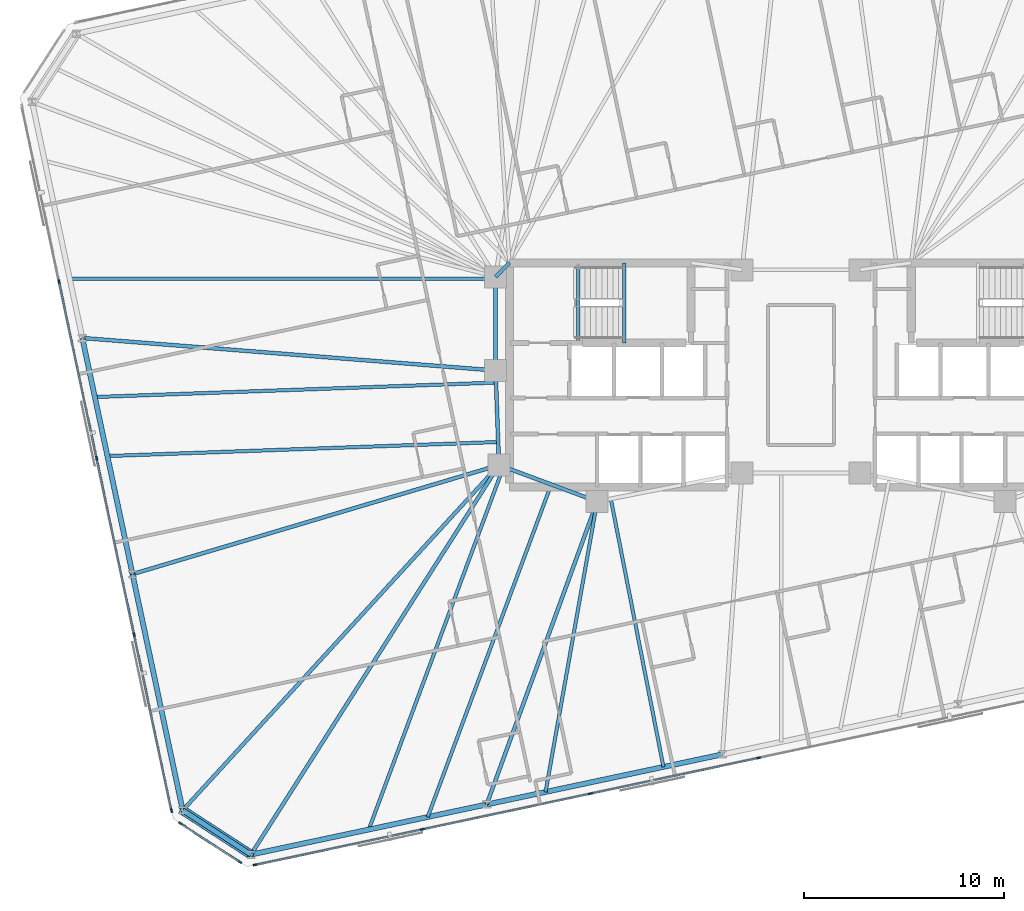
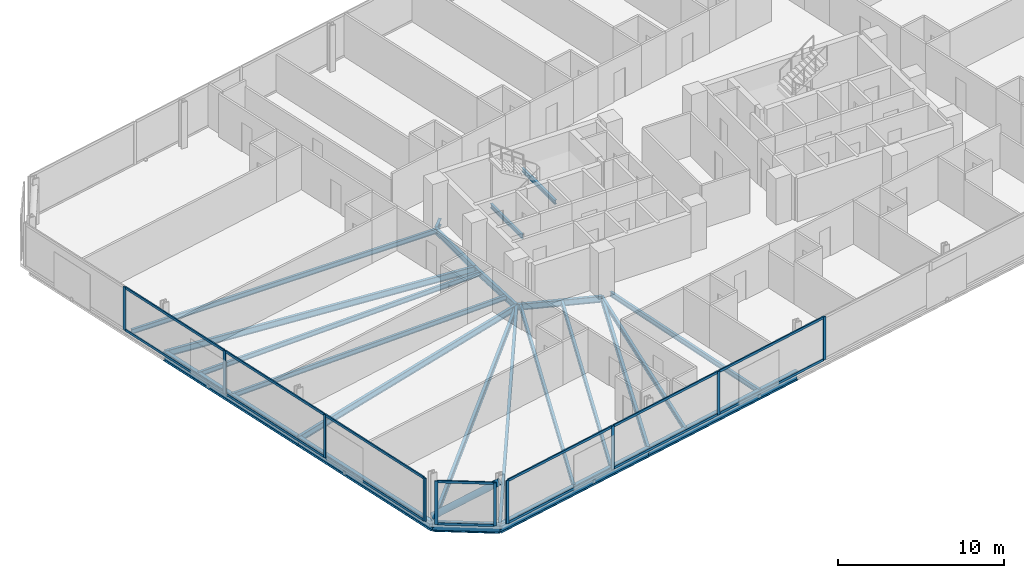
# One storey, part 6 of 20: 25 members, 23 beams, 3 elements without a shape of their own.
"""IFC4 building model written with IfcOpenShell, lengths in metres."""

from ifc_helpers import new_model, si_unit, direction, frame, origin, origin_2d, place, context, subcontext, project, spatial, rectangle, hollow_circle, i_section, extrude, material, material_profile, profile_set, type_object, element, aggregate, save


model = new_model("IFC4")

# Units and contexts
model_context = context("Model", 3, precision=1e-05, world=origin(), true_north=direction((0.0, 1.0)))
body_context = subcontext(model_context, "Body", "Model", "MODEL_VIEW")
ifc_project = project(units=[si_unit("LENGTHUNIT", "METRE"), si_unit("AREAUNIT", "SQUARE_METRE"), si_unit("VOLUMEUNIT", "CUBIC_METRE"), si_unit("PLANEANGLEUNIT", "RADIAN"), si_unit("MASSUNIT", "GRAM", prefix="KILO")], contexts=[model_context])

# Site, building, storey
site_placement = place(None, origin())
site = spatial("IfcSite", under=ifc_project, at=site_placement, CompositionType="ELEMENT")
building_placement = place(site_placement, origin())
building = spatial("IfcBuilding", under=site, at=building_placement, Name="Menara Jurai Vektor", CompositionType="ELEMENT")
storey_placement = place(building_placement, frame((0.0, 0.0, 158.199951171875)))
storey = spatial("IfcBuildingStorey", under=building, at=storey_placement, Name="L40", CompositionType="ELEMENT", Elevation=158.199951171875)

# Curtain wall, members
ifc_material_1 = material(Name="Anodised Pale Aluminium & Low-E Double Glazing", Category="aluminium")
curtain_wall_type = type_object("IfcCurtainWallType", Name="CW-BLK3", PredefinedType="NOTDEFINED", material=ifc_material_1)
curtain_wall_1_placement = place(storey_placement, origin())
curtain_wall_1 = element("IfcCurtainWall", 1, at=curtain_wall_1_placement, inside=storey, type_object=curtain_wall_type, Name="Unitised Curtain Wall L40 F01", PredefinedType="NOTDEFINED")
ifc_material_2 = material(Name="Anodised Pale Aluminium Mullion", Category="aluminium")
ifc_material_profile_1 = material_profile(ifc_material_2, rectangle(XDim=0.0849609375, YDim=0.205078125, at=origin_2d()), Name="ALU MUL 85x205")
ifc_profile_set_1 = profile_set([ifc_material_profile_1], Name="Anodised Pale Aluminium Mullion")
member_type_1 = type_object("IfcMemberType", Name="CW-BLK3-MUL", PredefinedType="MULLION", material=ifc_profile_set_1)
member_1_placement = place(storey_placement, frame((-27.25244140625, -24.462890625, 0.0), z_axis=(0.0, 0.0, 1.0), x_axis=(-0.207911344156, 0.978147674419, 0.0)))
member_1 = element("IfcMember", 2, at=member_1_placement, type_object=member_type_1, Name="CW-03 mullion 1", PredefinedType="MULLION", context=body_context, shape_type="SweptSolid", body=[
    extrude(rectangle(XDim=0.0849609375, YDim=0.205078125, at=origin_2d()), origin(), (0.0, 0.0, 1.0), 3.175048828125),
])
member_2_placement = place(storey_placement, frame((-18.904296875, -22.6884765625, 0.0), z_axis=(0.0, 0.0, 1.0), x_axis=(-0.207911344156, 0.978147674419, 0.0)))
member_2 = element("IfcMember", 3, at=member_2_placement, type_object=member_type_1, Name="CW-03 mullion 2", PredefinedType="MULLION", context=body_context, shape_type="SweptSolid", body=[
    extrude(rectangle(XDim=0.0849609375, YDim=0.205078125, at=origin_2d()), origin(), (0.0, 0.0, 1.0), 3.175048828125),
])
member_3_placement = place(storey_placement, frame((-10.514404296875, -20.905029296875, 0.0), z_axis=(0.0, 0.0, 1.0), x_axis=(-0.207911344156, 0.978147674419, 0.0)))
member_3 = element("IfcMember", 4, at=member_3_placement, type_object=member_type_1, Name="CW-03 mullion 3", PredefinedType="MULLION", context=body_context, shape_type="SweptSolid", body=[
    extrude(rectangle(XDim=0.0849609375, YDim=0.205078125, at=origin_2d()), origin(), (0.0, 0.0, 1.0), 3.175048828125),
])
member_4_placement = place(storey_placement, frame((-2.124755859375, -19.121826171875, 0.0), z_axis=(0.0, 0.0, 1.0), x_axis=(-0.207911344156, 0.978147674419, 0.0)))
member_4 = element("IfcMember", 5, at=member_4_placement, type_object=member_type_1, Name="CW-03 mullion 4", PredefinedType="MULLION", context=body_context, shape_type="SweptSolid", body=[
    extrude(rectangle(XDim=0.0849609375, YDim=0.205078125, at=origin_2d()), origin(), (0.0, 0.0, 1.0), 3.175048828125),
])

curtain_wall_2_placement = place(storey_placement, origin())
curtain_wall_2 = element("IfcCurtainWall", 6, at=curtain_wall_2_placement, inside=storey, type_object=curtain_wall_type, Name="Unitised Curtain Wall L40 F07", PredefinedType="NOTDEFINED")
member_5_placement = place(storey_placement, frame((-37.041259765625, 4.648193359375, 0.0), z_axis=(0.0, 0.0, 1.0), x_axis=(0.978147883949, 0.20791035839, 0.0)))
member_5 = element("IfcMember", 7, at=member_5_placement, type_object=member_type_1, Name="CW-03 mullion 2", PredefinedType="MULLION", context=body_context, shape_type="SweptSolid", body=[
    extrude(rectangle(XDim=0.0849609375, YDim=0.205078125, at=origin_2d()), origin(), (0.0, 0.0, 1.0), 3.175048828125),
])
member_6_placement = place(storey_placement, frame((-35.16796875, -4.1650390625, 0.0), z_axis=(0.0, 0.0, 1.0), x_axis=(0.978147883949, 0.20791035839, 0.0)))
member_6 = element("IfcMember", 8, at=member_6_placement, type_object=member_type_1, Name="CW-03 mullion 3", PredefinedType="MULLION", context=body_context, shape_type="SweptSolid", body=[
    extrude(rectangle(XDim=0.0849609375, YDim=0.205078125, at=origin_2d()), origin(), (0.0, 0.0, 1.0), 3.175048828125),
])
member_7_placement = place(storey_placement, frame((-33.294677734375, -12.978271484375, 0.0), z_axis=(0.0, 0.0, 1.0), x_axis=(0.978147883949, 0.20791035839, 0.0)))
member_7 = element("IfcMember", 9, at=member_7_placement, type_object=member_type_1, Name="CW-03 mullion 4", PredefinedType="MULLION", context=body_context, shape_type="SweptSolid", body=[
    extrude(rectangle(XDim=0.0849609375, YDim=0.205078125, at=origin_2d()), origin(), (0.0, 0.0, 1.0), 3.175048828125),
])
member_8_placement = place(storey_placement, frame((-31.43017578125, -21.749755859375, 0.0), z_axis=(0.0, 0.0, 1.0), x_axis=(0.978147883949, 0.20791035839, 0.0)))
member_8 = element("IfcMember", 10, at=member_8_placement, type_object=member_type_1, Name="CW-03 mullion 5", PredefinedType="MULLION", context=body_context, shape_type="SweptSolid", body=[
    extrude(rectangle(XDim=0.0849609375, YDim=0.205078125, at=origin_2d()), origin(), (0.0, 0.0, 1.0), 3.175048828125),
])

curtain_wall_3_placement = place(storey_placement, origin())
curtain_wall_3 = element("IfcCurtainWall", 11, at=curtain_wall_3_placement, inside=storey, type_object=curtain_wall_type, Name="Unitised Curtain Wall L40 F08", PredefinedType="NOTDEFINED")
member_9_placement = place(storey_placement, frame((-30.988037109375, -22.39306640625, 0.0), z_axis=(0.0, 0.0, 1.0), x_axis=(0.544617794346, 0.838684361415, 0.0)))
member_9 = element("IfcMember", 12, at=member_9_placement, type_object=member_type_1, Name="CW-03 mullion 1", PredefinedType="MULLION", context=body_context, shape_type="SweptSolid", body=[
    extrude(rectangle(XDim=0.0849609375, YDim=0.205078125, at=origin_2d()), origin(), (0.0, 0.0, 1.0), 3.175048828125),
])
member_10_placement = place(storey_placement, frame((-28.02001953125, -24.320556640625, 0.0), z_axis=(0.0, 0.0, 1.0), x_axis=(0.544617794346, 0.838684361415, 0.0)))
member_10 = element("IfcMember", 13, at=member_10_placement, type_object=member_type_1, Name="CW-03 mullion 2", PredefinedType="MULLION", context=body_context, shape_type="SweptSolid", body=[
    extrude(rectangle(XDim=0.0849609375, YDim=0.205078125, at=origin_2d()), origin(), (0.0, 0.0, 1.0), 3.175048828125),
])

# Member
ifc_material_3 = material(Name="Anodised Pale Aluminium Transom", Category="aluminium")
ifc_material_profile_2 = material_profile(ifc_material_3, rectangle(XDim=0.0849609375, YDim=0.175048828125, at=origin_2d()), Name="ALU TRN 85x175")
ifc_profile_set_2 = profile_set([ifc_material_profile_2], Name="Anodised Pale Aluminium Transom")
member_type_2 = type_object("IfcMemberType", Name="CW-BLK3-TRN", PredefinedType="USERDEFINED", material=ifc_profile_set_2)
member_11_placement = place(storey_placement, frame((-27.210693359375, -24.4541015625, 0.04248046875), z_axis=(0.978145704369, 0.207920612313, 0.0), x_axis=(-0.207920612313, 0.978145704369, 0.0)))
member_11 = element("IfcMember", 14, at=member_11_placement, type_object=member_type_2, Name="CW-03 transom 1.1", ObjectType="TRANSOM", PredefinedType="USERDEFINED", context=body_context, shape_type="SweptSolid", body=[
    extrude(rectangle(XDim=0.0849609375, YDim=0.175048828125, at=origin_2d()), origin(), (0.0, 0.0, 1.0), 8.449462890625),
])

member_12_placement = place(storey_placement, frame((-27.210693359375, -24.4541015625, 3.132568359375), z_axis=(0.978145704369, 0.207920612313, 0.0), x_axis=(-0.207920612313, 0.978145704369, 0.0)))
member_12 = element("IfcMember", 15, at=member_12_placement, type_object=member_type_2, Name="CW-03 transom 1.2", ObjectType="TRANSOM", PredefinedType="USERDEFINED", context=body_context, shape_type="SweptSolid", body=[
    extrude(rectangle(XDim=0.0849609375, YDim=0.175048828125, at=origin_2d()), origin(), (0.0, 0.0, 1.0), 8.449462890625),
])

member_13_placement = place(storey_placement, frame((-18.862548828125, -22.6796875, 0.04248046875), z_axis=(0.978146500933, 0.207916864907, 0.0), x_axis=(-0.207916864907, 0.978146500933, 0.0)))
member_13 = element("IfcMember", 16, at=member_13_placement, type_object=member_type_2, Name="CW-03 transom 2.1", ObjectType="TRANSOM", PredefinedType="USERDEFINED", context=body_context, shape_type="SweptSolid", body=[
    extrude(rectangle(XDim=0.0849609375, YDim=0.175048828125, at=origin_2d()), origin(), (0.0, 0.0, 1.0), 8.491943359375),
])

member_14_placement = place(storey_placement, frame((-18.862548828125, -22.6796875, 3.132568359375), z_axis=(0.978146500933, 0.207916864907, 0.0), x_axis=(-0.207916864907, 0.978146500933, 0.0)))
member_14 = element("IfcMember", 17, at=member_14_placement, type_object=member_type_2, Name="CW-03 transom 2.2", ObjectType="TRANSOM", PredefinedType="USERDEFINED", context=body_context, shape_type="SweptSolid", body=[
    extrude(rectangle(XDim=0.0849609375, YDim=0.175048828125, at=origin_2d()), origin(), (0.0, 0.0, 1.0), 8.491943359375),
])

member_15_placement = place(storey_placement, frame((-10.472900390625, -20.896240234375, 0.04248046875), z_axis=(0.978147743708, 0.207911018178, 0.0), x_axis=(-0.207911018178, 0.978147743708, 0.0)))
member_15 = element("IfcMember", 18, at=member_15_placement, type_object=member_type_2, Name="CW-03 transom 3.1", ObjectType="TRANSOM", PredefinedType="USERDEFINED", context=body_context, shape_type="SweptSolid", body=[
    extrude(rectangle(XDim=0.0849609375, YDim=0.175048828125, at=origin_2d()), origin(), (0.0, 0.0, 1.0), 8.4921875),
])

member_16_placement = place(storey_placement, frame((-10.472900390625, -20.896240234375, 3.132568359375), z_axis=(0.978147743708, 0.207911018178, 0.0), x_axis=(-0.207911018178, 0.978147743708, 0.0)))
member_16 = element("IfcMember", 19, at=member_16_placement, type_object=member_type_2, Name="CW-03 transom 3.2", ObjectType="TRANSOM", PredefinedType="USERDEFINED", context=body_context, shape_type="SweptSolid", body=[
    extrude(rectangle(XDim=0.0849609375, YDim=0.175048828125, at=origin_2d()), origin(), (0.0, 0.0, 1.0), 8.4921875),
])

aggregate(curtain_wall_1, [member_1, member_2, member_3, member_4, member_11, member_12, member_13, member_14, member_15, member_16])

member_17_placement = place(storey_placement, frame((-37.032470703125, 4.6064453125, 0.04248046875), z_axis=(0.207922224243, -0.978145361726, 0.0), x_axis=(0.978145361726, 0.207922224243, 0.0)))
member_17 = element("IfcMember", 20, at=member_17_placement, type_object=member_type_2, Name="CW-03 transom 2.1", ObjectType="TRANSOM", PredefinedType="USERDEFINED", context=body_context, shape_type="SweptSolid", body=[
    extrude(rectangle(XDim=0.0849609375, YDim=0.175048828125, at=origin_2d()), origin(), (0.0, 0.0, 1.0), 8.925048828125),
])

member_18_placement = place(storey_placement, frame((-37.032470703125, 4.6064453125, 3.132568359375), z_axis=(0.207922224243, -0.978145361726, 0.0), x_axis=(0.978145361726, 0.207922224243, 0.0)))
member_18 = element("IfcMember", 21, at=member_18_placement, type_object=member_type_2, Name="CW-03 transom 2.2", ObjectType="TRANSOM", PredefinedType="USERDEFINED", context=body_context, shape_type="SweptSolid", body=[
    extrude(rectangle(XDim=0.0849609375, YDim=0.175048828125, at=origin_2d()), origin(), (0.0, 0.0, 1.0), 8.925048828125),
])

member_19_placement = place(storey_placement, frame((-35.1591796875, -4.20654296875, 0.04248046875), z_axis=(0.207922224243, -0.978145361726, 0.0), x_axis=(0.978145361726, 0.207922224243, 0.0)))
member_19 = element("IfcMember", 22, at=member_19_placement, type_object=member_type_2, Name="CW-03 transom 3.1", ObjectType="TRANSOM", PredefinedType="USERDEFINED", context=body_context, shape_type="SweptSolid", body=[
    extrude(rectangle(XDim=0.0849609375, YDim=0.175048828125, at=origin_2d()), origin(), (0.0, 0.0, 1.0), 8.925048828125),
])

member_20_placement = place(storey_placement, frame((-35.1591796875, -4.20654296875, 3.132568359375), z_axis=(0.207922224243, -0.978145361726, 0.0), x_axis=(0.978145361726, 0.207922224243, 0.0)))
member_20 = element("IfcMember", 23, at=member_20_placement, type_object=member_type_2, Name="CW-03 transom 3.2", ObjectType="TRANSOM", PredefinedType="USERDEFINED", context=body_context, shape_type="SweptSolid", body=[
    extrude(rectangle(XDim=0.0849609375, YDim=0.175048828125, at=origin_2d()), origin(), (0.0, 0.0, 1.0), 8.925048828125),
])

member_21_placement = place(storey_placement, frame((-33.285888671875, -13.019775390625, 0.04248046875), z_axis=(0.207925814542, -0.978144598537, 0.0), x_axis=(0.978144598537, 0.207925814542, 0.0)))
member_21 = element("IfcMember", 24, at=member_21_placement, type_object=member_type_2, Name="CW-03 transom 4.1", ObjectType="TRANSOM", PredefinedType="USERDEFINED", context=body_context, shape_type="SweptSolid", body=[
    extrude(rectangle(XDim=0.0849609375, YDim=0.175048828125, at=origin_2d()), origin(), (0.0, 0.0, 1.0), 8.882568359375),
])

member_22_placement = place(storey_placement, frame((-33.285888671875, -13.019775390625, 3.132568359375), z_axis=(0.207925814542, -0.978144598537, 0.0), x_axis=(0.978144598537, 0.207925814542, 0.0)))
member_22 = element("IfcMember", 25, at=member_22_placement, type_object=member_type_2, Name="CW-03 transom 4.2", ObjectType="TRANSOM", PredefinedType="USERDEFINED", context=body_context, shape_type="SweptSolid", body=[
    extrude(rectangle(XDim=0.0849609375, YDim=0.175048828125, at=origin_2d()), origin(), (0.0, 0.0, 1.0), 8.882568359375),
])

aggregate(curtain_wall_2, [member_5, member_6, member_7, member_8, member_17, member_18, member_19, member_20, member_21, member_22])

member_23_placement = place(storey_placement, frame((-30.952392578125, -22.416259765625, 0.04248046875), z_axis=(0.83867770631, -0.54462804274, 0.0), x_axis=(0.54462804274, 0.83867770631, 0.0)))
member_23 = element("IfcMember", 26, at=member_23_placement, type_object=member_type_2, Name="CW-03 transom 1.1", ObjectType="TRANSOM", PredefinedType="USERDEFINED", context=body_context, shape_type="SweptSolid", body=[
    extrude(rectangle(XDim=0.0849609375, YDim=0.175048828125, at=origin_2d()), origin(), (0.0, 0.0, 1.0), 3.453857421875),
])

member_24_placement = place(storey_placement, frame((-30.952392578125, -22.416259765625, 3.132568359375), z_axis=(0.83867770631, -0.54462804274, 0.0), x_axis=(0.54462804274, 0.83867770631, 0.0)))
member_24 = element("IfcMember", 27, at=member_24_placement, type_object=member_type_2, Name="CW-03 transom 1.2", ObjectType="TRANSOM", PredefinedType="USERDEFINED", context=body_context, shape_type="SweptSolid", body=[
    extrude(rectangle(XDim=0.0849609375, YDim=0.175048828125, at=origin_2d()), origin(), (0.0, 0.0, 1.0), 3.453857421875),
])

aggregate(curtain_wall_3, [member_9, member_10, member_23, member_24])

# Beams
ifc_material_4 = material(Name="Steel S355", Category="steel")
ifc_material_profile_3 = material_profile(ifc_material_4, i_section(OverallWidth=0.19091796875, OverallDepth=0.4599609375, WebThickness=0.010009765625, FlangeThickness=0.01611328125, FilletRadius=0.010009765625, at=origin_2d()), Name="UKB 457x191x82")
ifc_profile_set_3 = profile_set([ifc_material_profile_3], Name="Steel S355")
beam_type_1 = type_object("IfcBeamType", Name="STR-BM-457", PredefinedType="BEAM", material=ifc_profile_set_3)
beam_1_placement = place(storey_placement, frame((-15.25, 4.89990234375, -0.454833984375), z_axis=(0.701871936926, 0.712303154672, 0.0), x_axis=(-0.712303154672, 0.701871936926, 0.0)))
element("IfcBeam", 28, at=beam_1_placement, inside=storey, type_object=beam_type_1, Name="Core Ring Header Girder L40-CHW-N1", PredefinedType="BEAM", context=body_context, shape_type="SweptSolid", body=[
    extrude(i_section(OverallWidth=0.19091796875, OverallDepth=0.4599609375, WebThickness=0.010009765625, FlangeThickness=0.01611328125, FilletRadius=0.010009765625, at=origin_2d()), origin(), (0.0, 0.0, 1.0), 0.98291015625),
])
beam_2_placement = place(storey_placement, frame((-15.25, 0.219970703125, -0.454833984375), z_axis=(0.0, 1.0, 0.0), x_axis=(-1.0, 0.0, 0.0)))
element("IfcBeam", 29, at=beam_2_placement, inside=storey, type_object=beam_type_1, Name="Core Ring Header Girder L40-CHW-W1", PredefinedType="BEAM", context=body_context, shape_type="SweptSolid", body=[
    extrude(i_section(OverallWidth=0.19091796875, OverallDepth=0.4599609375, WebThickness=0.010009765625, FlangeThickness=0.01611328125, FilletRadius=0.010009765625, at=origin_2d()), origin(), (0.0, 0.0, 1.0), 4.679931640625),
])
beam_3_placement = place(storey_placement, frame((-15.080078125, -4.5, -0.454833984375), z_axis=(-0.035977314146, 0.999352606874, 0.0), x_axis=(-0.999352606874, -0.035977314146, 0.0)))
element("IfcBeam", 30, at=beam_3_placement, inside=storey, type_object=beam_type_1, Name="Core Ring Header Girder L40-CHW-W2", PredefinedType="BEAM", context=body_context, shape_type="SweptSolid", body=[
    extrude(i_section(OverallWidth=0.19091796875, OverallDepth=0.4599609375, WebThickness=0.010009765625, FlangeThickness=0.01611328125, FilletRadius=0.010009765625, at=origin_2d()), origin(), (0.0, 0.0, 1.0), 4.72314453125),
])
beam_4_placement = place(storey_placement, frame((-15.080078125, -4.5, -0.454833984375), z_axis=(0.937424400887, -0.348188874925, 0.0), x_axis=(0.348188874925, 0.937424400887, 0.0)))
element("IfcBeam", 31, at=beam_4_placement, inside=storey, type_object=beam_type_1, Name="Core Ring Header Girder L40-CHW-S1", PredefinedType="BEAM", context=body_context, shape_type="SweptSolid", body=[
    extrude(i_section(OverallWidth=0.19091796875, OverallDepth=0.4599609375, WebThickness=0.010009765625, FlangeThickness=0.01611328125, FilletRadius=0.010009765625, at=origin_2d()), origin(), (0.0, 0.0, 1.0), 5.227294921875),
])
beam_5_placement = place(storey_placement, frame((-27.46484375, -23.94580078125, -0.454833984375), z_axis=(0.537189280991, 0.843461721946, 0.0), x_axis=(-0.843461721946, 0.537189280991, 0.0)))
element("IfcBeam", 32, at=beam_5_placement, inside=storey, type_object=beam_type_1, Name="Radial Floor Girder L40-S1", PredefinedType="BEAM", context=body_context, shape_type="SweptSolid", body=[
    extrude(i_section(OverallWidth=0.19091796875, OverallDepth=0.4599609375, WebThickness=0.010009765625, FlangeThickness=0.01611328125, FilletRadius=0.010009765625, at=origin_2d()), origin(), (0.0, 0.0, 1.0), 23.0546875),
])
beam_6_placement = place(storey_placement, frame((-15.696533203125, -21.4443359375, -0.454833984375), z_axis=(0.342668294367, 0.939456459893, 0.0), x_axis=(-0.939456459893, 0.342668294367, 0.0)))
element("IfcBeam", 33, at=beam_6_placement, inside=storey, type_object=beam_type_1, Name="Radial Floor Girder L40-S2", PredefinedType="BEAM", context=body_context, shape_type="SweptSolid", body=[
    extrude(i_section(OverallWidth=0.19091796875, OverallDepth=0.4599609375, WebThickness=0.010009765625, FlangeThickness=0.01611328125, FilletRadius=0.010009765625, at=origin_2d()), origin(), (0.0, 0.0, 1.0), 16.098876953125),
])
beam_7_placement = place(storey_placement, frame((-35.8828125, 1.843505859375, -0.454833984375), z_axis=(0.996918476483, -0.078444574364, 0.0), x_axis=(0.078444574364, 0.996918476483, 0.0)))
element("IfcBeam", 34, at=beam_7_placement, inside=storey, type_object=beam_type_1, Name="Radial Floor Girder L40-W2", PredefinedType="BEAM", context=body_context, shape_type="SweptSolid", body=[
    extrude(i_section(OverallWidth=0.19091796875, OverallDepth=0.4599609375, WebThickness=0.010009765625, FlangeThickness=0.01611328125, FilletRadius=0.010009765625, at=origin_2d()), origin(), (0.0, 0.0, 1.0), 20.696533203125),
])
beam_8_placement = place(storey_placement, frame((-33.377197265625, -9.94482421875, -0.454833984375), z_axis=(0.958462775407, 0.285217650505, 0.0), x_axis=(-0.285217650505, 0.958462775407, 0.0)))
element("IfcBeam", 35, at=beam_8_placement, inside=storey, type_object=beam_type_1, Name="Radial Floor Girder L40-W3", PredefinedType="BEAM", context=body_context, shape_type="SweptSolid", body=[
    extrude(i_section(OverallWidth=0.19091796875, OverallDepth=0.4599609375, WebThickness=0.010009765625, FlangeThickness=0.01611328125, FilletRadius=0.010009765625, at=origin_2d()), origin(), (0.0, 0.0, 1.0), 19.090087890625),
])
beam_9_placement = place(storey_placement, frame((-30.871337890625, -21.7333984375, -0.454833984375), z_axis=(0.675584615662, 0.737282460852, 0.0), x_axis=(-0.737282460852, 0.675584615662, 0.0)))
element("IfcBeam", 36, at=beam_9_placement, inside=storey, type_object=beam_type_1, Name="Radial Floor Girder L40-W4", PredefinedType="BEAM", context=body_context, shape_type="SweptSolid", body=[
    extrude(i_section(OverallWidth=0.19091796875, OverallDepth=0.4599609375, WebThickness=0.010009765625, FlangeThickness=0.01611328125, FilletRadius=0.010009765625, at=origin_2d()), origin(), (0.0, 0.0, 1.0), 23.374267578125),
])

# Member
ifc_material_5 = material(Name="Steel S460", Category="steel")
ifc_material_profile_4 = material_profile(ifc_material_5, hollow_circle(Radius=0.228515625, WallThickness=0.01611328125, at=origin_2d()), Name="CHS 457x16")
ifc_profile_set_4 = profile_set([ifc_material_profile_4], Name="Steel S460")
member_type_3 = type_object("IfcMemberType", Name="STR-BR-457", PredefinedType="BRACE", material=ifc_profile_set_4)
member_25_placement = place(storey_placement, frame((-30.871337890625, -21.7333984375, 0.150146484375), z_axis=(0.700422163072, -0.454900425841, 0.549976723186), x_axis=(0.544673525608, 0.838648168484, 0.0)))
element("IfcMember", 37, at=member_25_placement, inside=storey, type_object=member_type_3, Name="Exoskeleton Corner Brace L40-4", PredefinedType="BRACE", context=body_context, shape_type="SweptSolid", body=[
    extrude(hollow_circle(Radius=0.228515625, WallThickness=0.01611328125, at=origin_2d()), origin(), (0.0, 0.0, 1.0), 4.863525390625),
])

# Beams
ifc_material_profile_5 = material_profile(ifc_material_4, i_section(OverallWidth=0.172119140625, OverallDepth=0.35498046875, WebThickness=0.007080078125, FlangeThickness=0.011962890625, FilletRadius=0.010009765625, at=origin_2d()), Name="UKB 356x171x51")
ifc_profile_set_5 = profile_set([ifc_material_profile_5], Name="Steel S355")
beam_type_2 = type_object("IfcBeamType", Name="STR-JS-356", PredefinedType="JOIST", material=ifc_profile_set_5)
beam_10_placement = place(storey_placement, frame((-21.580810546875, -22.695068359375, -0.40234375), z_axis=(0.348190019635, 0.937423975705, 0.0), x_axis=(-0.937423975705, 0.348190019635, 0.0)))
element("IfcBeam", 38, at=beam_10_placement, inside=storey, type_object=beam_type_2, Name="Radial Secondary Floor Joist L40-JS01", PredefinedType="JOIST", context=body_context, shape_type="SweptSolid", body=[
    extrude(i_section(OverallWidth=0.172119140625, OverallDepth=0.35498046875, WebThickness=0.007080078125, FlangeThickness=0.011962890625, FilletRadius=0.010009765625, at=origin_2d()), origin(), (0.0, 0.0, 1.0), 19.320068359375),
])
beam_11_placement = place(storey_placement, frame((-18.638671875, -22.069580078125, -0.40234375), z_axis=(0.348193798412, 0.937422572135, 0.0), x_axis=(-0.937422572135, 0.348193798412, 0.0)))
element("IfcBeam", 39, at=beam_11_placement, inside=storey, type_object=beam_type_2, Name="Radial Secondary Floor Joist L40-JS02", PredefinedType="JOIST", context=body_context, shape_type="SweptSolid", body=[
    extrude(i_section(OverallWidth=0.172119140625, OverallDepth=0.35498046875, WebThickness=0.007080078125, FlangeThickness=0.011962890625, FilletRadius=0.010009765625, at=origin_2d()), origin(), (0.0, 0.0, 1.0), 17.709228515625),
])
beam_12_placement = place(storey_placement, frame((-12.75439453125, -20.819091796875, -0.40234375), z_axis=(0.174826548521, 0.984599247375, 0.0), x_axis=(-0.984599247375, 0.174826548521, 0.0)))
element("IfcBeam", 40, at=beam_12_placement, inside=storey, type_object=beam_type_2, Name="Radial Secondary Floor Joist L40-JS03", PredefinedType="JOIST", context=body_context, shape_type="SweptSolid", body=[
    extrude(i_section(OverallWidth=0.172119140625, OverallDepth=0.35498046875, WebThickness=0.007080078125, FlangeThickness=0.011962890625, FilletRadius=0.010009765625, at=origin_2d()), origin(), (0.0, 0.0, 1.0), 14.725830078125),
])
beam_13_placement = place(storey_placement, frame((-6.870361328125, -19.568359375, -0.40234375), z_axis=(-0.19273083746, 0.981251662058, 0.0), x_axis=(-0.981251662058, -0.19273083746, 0.0)))
element("IfcBeam", 41, at=beam_13_placement, inside=storey, type_object=beam_type_2, Name="Radial Secondary Floor Joist L40-JS04", PredefinedType="JOIST", context=body_context, shape_type="SweptSolid", body=[
    extrude(i_section(OverallWidth=0.172119140625, OverallDepth=0.35498046875, WebThickness=0.007080078125, FlangeThickness=0.011962890625, FilletRadius=0.010009765625, at=origin_2d()), origin(), (0.0, 0.0, 1.0), 13.6376953125),
])
beam_14_placement = place(storey_placement, frame((-36.50927734375, 4.790771484375, -0.40234375), z_axis=(1.0, 0.0, 0.0), x_axis=(0.0, 1.0, 0.0)))
element("IfcBeam", 42, at=beam_14_placement, inside=storey, type_object=beam_type_2, Name="Radial Secondary Floor Joist L40-JS30", PredefinedType="JOIST", context=body_context, shape_type="SweptSolid", body=[
    extrude(i_section(OverallWidth=0.172119140625, OverallDepth=0.35498046875, WebThickness=0.007080078125, FlangeThickness=0.011962890625, FilletRadius=0.010009765625, at=origin_2d()), origin(), (0.0, 0.0, 1.0), 21.25927734375),
])
beam_15_placement = place(storey_placement, frame((-35.25634765625, -1.103515625, -0.40234375), z_axis=(0.999351866858, 0.035997863919, 0.0), x_axis=(-0.035997863919, 0.999351866858, 0.0)))
element("IfcBeam", 43, at=beam_15_placement, inside=storey, type_object=beam_type_2, Name="Radial Secondary Floor Joist L40-JS31", PredefinedType="JOIST", context=body_context, shape_type="SweptSolid", body=[
    extrude(i_section(OverallWidth=0.172119140625, OverallDepth=0.35498046875, WebThickness=0.007080078125, FlangeThickness=0.011962890625, FilletRadius=0.010009765625, at=origin_2d()), origin(), (0.0, 0.0, 1.0), 20.041015625),
])
beam_16_placement = place(storey_placement, frame((-34.6298828125, -4.05078125, -0.40234375), z_axis=(0.999352006705, 0.035993981369, 0.0), x_axis=(-0.035993981369, 0.999352006705, 0.0)))
element("IfcBeam", 44, at=beam_16_placement, inside=storey, type_object=beam_type_2, Name="Radial Secondary Floor Joist L40-JS32", PredefinedType="JOIST", context=body_context, shape_type="SweptSolid", body=[
    extrude(i_section(OverallWidth=0.172119140625, OverallDepth=0.35498046875, WebThickness=0.007080078125, FlangeThickness=0.011962890625, FilletRadius=0.010009765625, at=origin_2d()), origin(), (0.0, 0.0, 1.0), 19.52099609375),
])
ifc_material_profile_6 = material_profile(ifc_material_4, i_section(OverallWidth=0.1650390625, OverallDepth=0.302978515625, WebThickness=0.006103515625, FlangeThickness=0.010009765625, FilletRadius=0.009033203125, at=origin_2d()), Name="UKB 305x165x40")
ifc_profile_set_6 = profile_set([ifc_material_profile_6], Name="Steel S355")
beam_type_3 = type_object("IfcBeamType", Name="STR-LN-305", PredefinedType="LINTEL", material=ifc_profile_set_6)
beam_17_placement = place(storey_placement, frame((-11.1201171875, 1.60009765625, -0.37646484375), z_axis=(0.0, 1.0, 0.0), x_axis=(-1.0, 0.0, 0.0)))
element("IfcBeam", 45, at=beam_17_placement, inside=storey, type_object=beam_type_3, Name="Stair Well Floor Trimmer ST1 L40", PredefinedType="LINTEL", context=body_context, shape_type="SweptSolid", body=[
    extrude(i_section(OverallWidth=0.1650390625, OverallDepth=0.302978515625, WebThickness=0.006103515625, FlangeThickness=0.010009765625, FilletRadius=0.009033203125, at=origin_2d()), origin(), (0.0, 0.0, 1.0), 3.81982421875),
])
beam_18_placement = place(storey_placement, frame((-8.830078125, 1.60009765625, 1.3486328125), z_axis=(0.0, 1.0, 0.0), x_axis=(-1.0, 0.0, 0.0)))
element("IfcBeam", 46, at=beam_18_placement, inside=storey, type_object=beam_type_3, Name="Stair Half-Landing Nosing Trimmer ST1-1 L40", PredefinedType="LINTEL", context=body_context, shape_type="SweptSolid", body=[
    extrude(i_section(OverallWidth=0.1650390625, OverallDepth=0.302978515625, WebThickness=0.006103515625, FlangeThickness=0.010009765625, FilletRadius=0.009033203125, at=origin_2d()), origin(), (0.0, 0.0, 1.0), 4.0),
])
ifc_material_profile_7 = material_profile(ifc_material_5, i_section(OverallWidth=0.256103515625, OverallDepth=0.693115234375, WebThickness=0.013916015625, FlangeThickness=0.02392578125, FilletRadius=0.014892578125, at=origin_2d()), Name="UKB 686x254x170")
ifc_profile_set_7 = profile_set([ifc_material_profile_7], Name="Steel S460")
beam_type_4 = type_object("IfcBeamType", Name="STR-SP-686", PredefinedType="SPANDREL", material=ifc_profile_set_7)
beam_19_placement = place(storey_placement, frame((-27.46484375, -23.94580078125, -0.571533203125), z_axis=(0.978147039247, 0.207914332389, 0.0), x_axis=(-0.207914332389, 0.978147039247, 0.0)))
element("IfcBeam", 47, at=beam_19_placement, inside=storey, type_object=beam_type_4, Name="Exoskeleton Spandrel Beam L40-01", PredefinedType="SPANDREL", context=body_context, shape_type="SweptSolid", body=[
    extrude(i_section(OverallWidth=0.256103515625, OverallDepth=0.693115234375, WebThickness=0.013916015625, FlangeThickness=0.02392578125, FilletRadius=0.014892578125, at=origin_2d()), origin(), (0.0, 0.0, 1.0), 12.03125),
])
beam_20_placement = place(storey_placement, frame((-15.696533203125, -21.4443359375, -0.571533203125), z_axis=(0.97814616202, 0.207918459318, 0.0), x_axis=(-0.207918459318, 0.97814616202, 0.0)))
element("IfcBeam", 48, at=beam_20_placement, inside=storey, type_object=beam_type_4, Name="Exoskeleton Spandrel Beam L40-02", PredefinedType="SPANDREL", context=body_context, shape_type="SweptSolid", body=[
    extrude(i_section(OverallWidth=0.256103515625, OverallDepth=0.693115234375, WebThickness=0.013916015625, FlangeThickness=0.02392578125, FilletRadius=0.014892578125, at=origin_2d()), origin(), (0.0, 0.0, 1.0), 12.031005859375),
])
beam_21_placement = place(storey_placement, frame((-35.8828125, 1.843505859375, -0.571533203125), z_axis=(0.207906000604, -0.978148810209, 0.0), x_axis=(0.978148810209, 0.207906000604, 0.0)))
element("IfcBeam", 49, at=beam_21_placement, inside=storey, type_object=beam_type_4, Name="Exoskeleton Spandrel Beam L40-18", PredefinedType="SPANDREL", context=body_context, shape_type="SweptSolid", body=[
    extrude(i_section(OverallWidth=0.256103515625, OverallDepth=0.693115234375, WebThickness=0.013916015625, FlangeThickness=0.02392578125, FilletRadius=0.014892578125, at=origin_2d()), origin(), (0.0, 0.0, 1.0), 12.0517578125),
])
beam_22_placement = place(storey_placement, frame((-33.377197265625, -9.94482421875, -0.571533203125), z_axis=(0.207921262698, -0.978145566119, 0.0), x_axis=(0.978145566119, 0.207921262698, 0.0)))
element("IfcBeam", 50, at=beam_22_placement, inside=storey, type_object=beam_type_4, Name="Exoskeleton Spandrel Beam L40-19", PredefinedType="SPANDREL", context=body_context, shape_type="SweptSolid", body=[
    extrude(i_section(OverallWidth=0.256103515625, OverallDepth=0.693115234375, WebThickness=0.013916015625, FlangeThickness=0.02392578125, FilletRadius=0.014892578125, at=origin_2d()), origin(), (0.0, 0.0, 1.0), 12.052001953125),
])
beam_23_placement = place(storey_placement, frame((-30.871337890625, -21.7333984375, -0.571533203125), z_axis=(0.838648168484, -0.544673525608, 0.0), x_axis=(0.544673525608, 0.838648168484, 0.0)))
element("IfcBeam", 51, at=beam_23_placement, inside=storey, type_object=beam_type_4, Name="Exoskeleton Spandrel Beam L40-20", PredefinedType="SPANDREL", context=body_context, shape_type="SweptSolid", body=[
    extrude(i_section(OverallWidth=0.256103515625, OverallDepth=0.693115234375, WebThickness=0.013916015625, FlangeThickness=0.02392578125, FilletRadius=0.014892578125, at=origin_2d()), origin(), (0.0, 0.0, 1.0), 4.061767578125),
])

save(model, "model.ifc")
